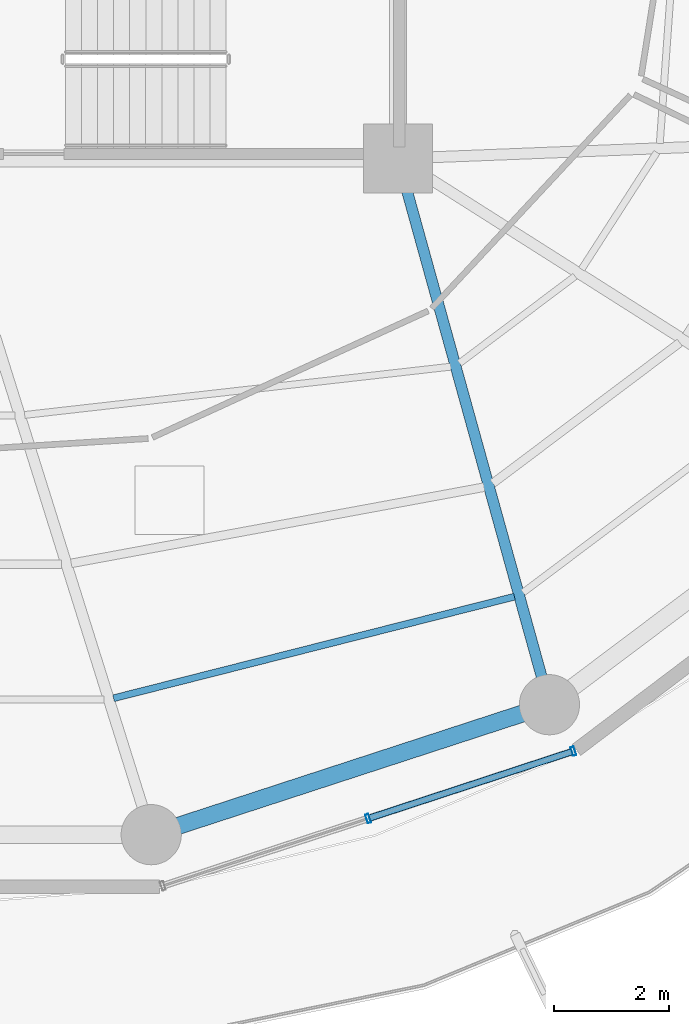
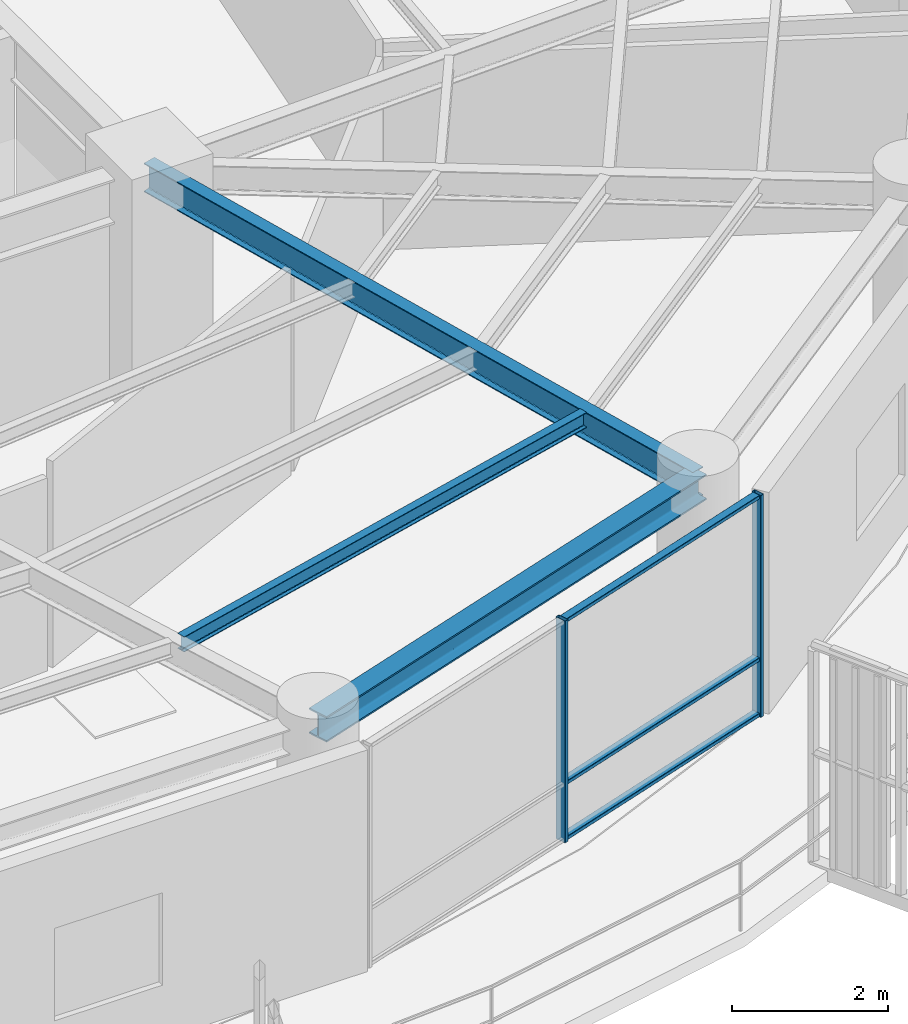
# One storey, part 10 of 30: 5 members, 3 beams, 1 element without a shape of its own.
"""IFC4 building model written with IfcOpenShell, lengths in metres."""

from ifc_helpers import new_model, si_unit, direction, frame, origin, origin_2d, place, context, subcontext, project, spatial, hollow_rectangle, i_section, extrude, material, layer, layer_set, material_profile, profile_set, type_object, element, aggregate, save


model = new_model("IFC4")

# Units and contexts
model_context = context("Model", 3, precision=1e-05, world=origin(), true_north=direction((0.0, 1.0)))
body_context = subcontext(model_context, "Body", "Model", "MODEL_VIEW")
ifc_project = project(units=[si_unit("LENGTHUNIT", "METRE"), si_unit("AREAUNIT", "SQUARE_METRE"), si_unit("VOLUMEUNIT", "CUBIC_METRE"), si_unit("PLANEANGLEUNIT", "RADIAN"), si_unit("MASSUNIT", "GRAM", prefix="KILO")], contexts=[model_context])

# Site, building, storey
site_placement = place(None, origin())
site = spatial("IfcSite", under=ifc_project, at=site_placement, CompositionType="ELEMENT")
building_placement = place(site_placement, origin())
building = spatial("IfcBuilding", under=site, at=building_placement, Name="Kelanora Arch Commons", CompositionType="ELEMENT")
storey_placement = place(building_placement, frame((0.0, 0.0, 211.949951171875)))
storey = spatial("IfcBuildingStorey", under=building, at=storey_placement, Name="L54", CompositionType="ELEMENT", Elevation=211.949951171875)

# Beams
ifc_material_1 = material(Name="Steel S355", Category="steel")
ifc_material_profile_1 = material_profile(ifc_material_1, i_section(OverallWidth=0.1201171875, OverallDepth=0.239990234375, WebThickness=0.006103515625, FlangeThickness=0.009765625, FilletRadius=0.014892578125, at=origin_2d()), Name="IPE240")
ifc_profile_set_1 = profile_set([ifc_material_profile_1], Name="Steel S355")
beam_type_1 = type_object("IfcBeamType", Name="BM-JST-02", PredefinedType="JOIST", material=ifc_profile_set_1)
beam_1_placement = place(storey_placement, frame((77.03857421875, 41.5888671875, 3.3701171875), z_axis=(0.969370989998, 0.245601066263, 0.0), x_axis=(-0.245601066263, 0.969370989998, 0.0)))
element("IfcBeam", 1, at=beam_1_placement, inside=storey, type_object=beam_type_1, Name="Secondary Chord Joist BJC-28 L54", PredefinedType="JOIST", context=body_context, shape_type="SweptSolid", body=[
    extrude(i_section(OverallWidth=0.1201171875, OverallDepth=0.239990234375, WebThickness=0.006103515625, FlangeThickness=0.009765625, FilletRadius=0.014892578125, at=origin_2d()), origin(), (0.0, 0.0, 1.0), 7.2119140625),
])
ifc_material_profile_2 = material_profile(ifc_material_1, i_section(OverallWidth=0.18994140625, OverallDepth=0.449951171875, WebThickness=0.009521484375, FlangeThickness=0.0146484375, FilletRadius=0.02099609375, at=origin_2d()), Name="IPE450")
ifc_profile_set_2 = profile_set([ifc_material_profile_2], Name="Steel S355")
beam_type_2 = type_object("IfcBeamType", Name="BM-RAD-Z4", PredefinedType="BEAM", material=ifc_profile_set_2)
beam_2_placement = place(storey_placement, frame((82.0, 51.0, 3.26513671875), z_axis=(0.267120164296, -0.963663228429, 0.0), x_axis=(0.963663228429, 0.267120164296, 0.0)))
element("IfcBeam", 2, at=beam_2_placement, inside=storey, type_object=beam_type_2, Name="Radial Floor Girder BR-30 L54", PredefinedType="BEAM", context=body_context, shape_type="SweptSolid", body=[
    extrude(i_section(OverallWidth=0.18994140625, OverallDepth=0.449951171875, WebThickness=0.009521484375, FlangeThickness=0.0146484375, FilletRadius=0.02099609375, at=origin_2d()), origin(), (0.0, 0.0, 1.0), 9.8828125),
])
ifc_material_profile_3 = material_profile(ifc_material_1, i_section(OverallWidth=0.300048828125, OverallDepth=0.39990234375, WebThickness=0.013427734375, FlangeThickness=0.02392578125, FilletRadius=0.027099609375, at=origin_2d()), Name="HEB400")
ifc_profile_set_3 = profile_set([ifc_material_profile_3], Name="Steel S355")
beam_type_3 = type_object("IfcBeamType", Name="BM-SPN-Z4", PredefinedType="SPANDREL", material=ifc_profile_set_3)
beam_3_placement = place(storey_placement, frame((77.6953125, 39.2099609375, 3.2900390625), z_axis=(0.950656361143, 0.310245842872, 0.0), x_axis=(-0.310245842872, 0.950656361143, 0.0)))
element("IfcBeam", 3, at=beam_3_placement, inside=storey, type_object=beam_type_3, Name="Perimeter Spandrel Beam BS-28 L54", PredefinedType="SPANDREL", context=body_context, shape_type="SweptSolid", body=[
    extrude(i_section(OverallWidth=0.300048828125, OverallDepth=0.39990234375, WebThickness=0.013427734375, FlangeThickness=0.02392578125, FilletRadius=0.027099609375, at=origin_2d()), origin(), (0.0, 0.0, 1.0), 7.304931640625),
])

# Curtain wall, members
ifc_material_2 = material(Name="Terracotta ceramic-fritted low-E glass and aluminium", Category="masonry")
ifc_layer = layer(ifc_material_2, 0.175048828125)
ifc_layer_set = layer_set([ifc_layer], Name="Terracotta ceramic-fritted low-E glass and aluminium")
curtain_wall_type = type_object("IfcCurtainWallType", Name="CW-SYS-02", PredefinedType="NOTDEFINED", material=ifc_layer_set)
curtain_wall_placement = place(storey_placement, origin())
curtain_wall = element("IfcCurtainWall", 4, at=curtain_wall_placement, inside=storey, type_object=curtain_wall_type, Name="Unitised Curtain Wall L54-B14", PredefinedType="NOTDEFINED")
ifc_material_3 = material(Name="Powder-coated aluminium terracotta", Category="masonry")
ifc_material_profile_4 = material_profile(ifc_material_3, hollow_rectangle(XDim=0.159912109375, YDim=0.06005859375, WallThickness=0.0048828125, InnerFilletRadius=0.0048828125, OuterFilletRadius=0.010009765625, at=origin_2d()), Name="CWM160x60")
ifc_profile_set_4 = profile_set([ifc_material_profile_4], Name="Powder-coated aluminium terracotta")
member_type_1 = type_object("IfcMemberType", Name="CWM-STD", PredefinedType="MULLION", material=ifc_profile_set_4)
member_1_placement = place(storey_placement, frame((81.4775390625, 39.49169921875, 0.0), z_axis=(0.0, 0.0, 1.0), x_axis=(-0.311582439059, 0.950219124029, 0.0)))
member_1 = element("IfcMember", 5, at=member_1_placement, type_object=member_type_1, Name="CW-02 mullion 2", PredefinedType="MULLION", context=body_context, shape_type="SweptSolid", body=[
    extrude(hollow_rectangle(XDim=0.159912109375, YDim=0.06005859375, WallThickness=0.0048828125, InnerFilletRadius=0.0048828125, OuterFilletRadius=0.010009765625, at=origin_2d()), origin(), (0.0, 0.0, 1.0), 3.47509765625),
])
member_2_placement = place(storey_placement, frame((85.05712890625, 40.66552734375, 0.0), z_axis=(0.0, 0.0, 1.0), x_axis=(-0.311582439059, 0.950219124029, 0.0)))
member_2 = element("IfcMember", 6, at=member_2_placement, type_object=member_type_1, Name="CW-02 mullion 3", PredefinedType="MULLION", context=body_context, shape_type="SweptSolid", body=[
    extrude(hollow_rectangle(XDim=0.159912109375, YDim=0.06005859375, WallThickness=0.0048828125, InnerFilletRadius=0.0048828125, OuterFilletRadius=0.010009765625, at=origin_2d()), origin(), (0.0, 0.0, 1.0), 3.47509765625),
])
ifc_material_profile_5 = material_profile(ifc_material_3, hollow_rectangle(XDim=0.1201171875, YDim=0.06005859375, WallThickness=0.0048828125, InnerFilletRadius=0.0048828125, OuterFilletRadius=0.010009765625, at=origin_2d()), Name="CWT120x60")
ifc_profile_set_5 = profile_set([ifc_material_profile_5], Name="Powder-coated aluminium terracotta")
member_type_2 = type_object("IfcMemberType", Name="CWT-STD", PredefinedType="USERDEFINED", material=ifc_profile_set_5)
member_3_placement = place(storey_placement, frame((81.506103515625, 39.5009765625, 0.030029296875), z_axis=(0.950226025222, 0.311561392011, 0.0), x_axis=(-0.311561392011, 0.950226025222, 0.0)))
member_3 = element("IfcMember", 7, at=member_3_placement, type_object=member_type_2, Name="CW-02 transom 2.1", ObjectType="TRANSOM", PredefinedType="USERDEFINED", context=body_context, shape_type="SweptSolid", body=[
    extrude(hollow_rectangle(XDim=0.1201171875, YDim=0.06005859375, WallThickness=0.0048828125, InnerFilletRadius=0.0048828125, OuterFilletRadius=0.010009765625, at=origin_2d()), origin(), (0.0, 0.0, 1.0), 3.707275390625),
])
member_4_placement = place(storey_placement, frame((81.506103515625, 39.5009765625, 0.900146484375), z_axis=(0.950226025222, 0.311561392011, 0.0), x_axis=(-0.311561392011, 0.950226025222, 0.0)))
member_4 = element("IfcMember", 8, at=member_4_placement, type_object=member_type_2, Name="CW-02 transom 2.2", ObjectType="TRANSOM", PredefinedType="USERDEFINED", context=body_context, shape_type="SweptSolid", body=[
    extrude(hollow_rectangle(XDim=0.1201171875, YDim=0.06005859375, WallThickness=0.0048828125, InnerFilletRadius=0.0048828125, OuterFilletRadius=0.010009765625, at=origin_2d()), origin(), (0.0, 0.0, 1.0), 3.707275390625),
])
member_5_placement = place(storey_placement, frame((81.506103515625, 39.5009765625, 3.445068359375), z_axis=(0.950226025222, 0.311561392011, 0.0), x_axis=(-0.311561392011, 0.950226025222, 0.0)))
member_5 = element("IfcMember", 9, at=member_5_placement, type_object=member_type_2, Name="CW-02 transom 2.3", ObjectType="TRANSOM", PredefinedType="USERDEFINED", context=body_context, shape_type="SweptSolid", body=[
    extrude(hollow_rectangle(XDim=0.1201171875, YDim=0.06005859375, WallThickness=0.0048828125, InnerFilletRadius=0.0048828125, OuterFilletRadius=0.010009765625, at=origin_2d()), origin(), (0.0, 0.0, 1.0), 3.707275390625),
])
aggregate(curtain_wall, [member_1, member_2, member_3, member_4, member_5])

save(model, "model.ifc")
